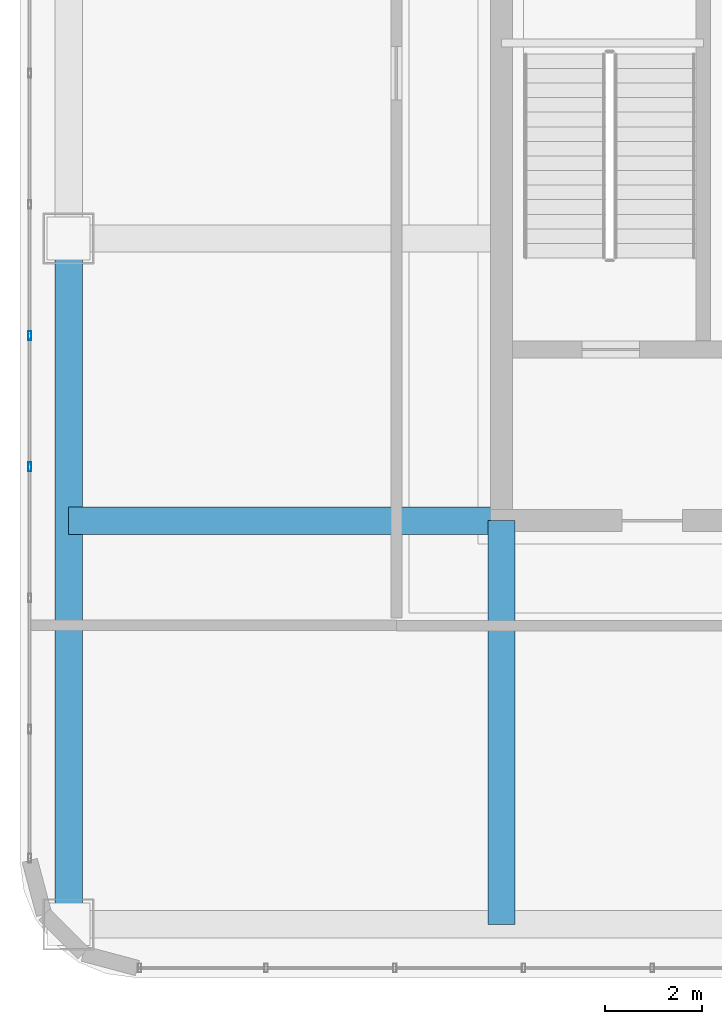
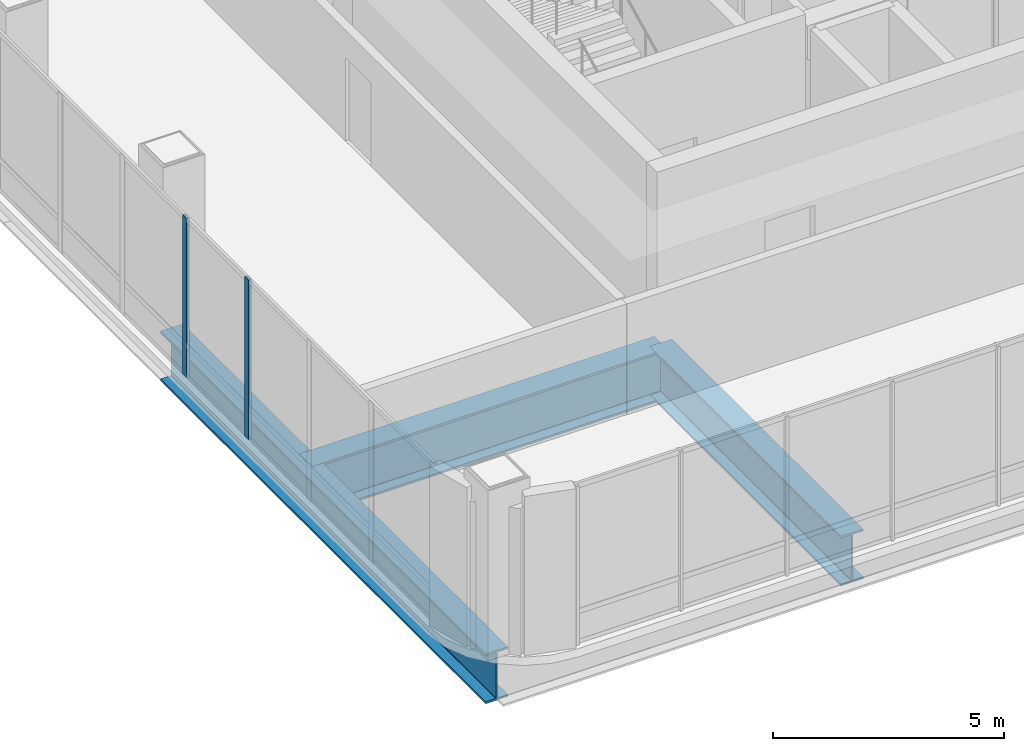
# One storey, part 4 of 33: 3 beams, 2 members, 1 element without a shape of its own.
"""IFC4 building model written with IfcOpenShell, lengths in metres."""

from ifc_helpers import new_model, si_unit, direction, frame, origin, origin_2d, place, context, subcontext, project, spatial, hollow_rectangle, i_section, extrude, material, material_profile, profile_set, type_object, element, aggregate, save


model = new_model("IFC4")

# Units and contexts
model_context = context("Model", 3, precision=1e-05, world=origin(), true_north=direction((0.0, 1.0)))
body_context = subcontext(model_context, "Body", "Model", "MODEL_VIEW")
ifc_project = project(units=[si_unit("LENGTHUNIT", "METRE"), si_unit("AREAUNIT", "SQUARE_METRE"), si_unit("VOLUMEUNIT", "CUBIC_METRE"), si_unit("PLANEANGLEUNIT", "RADIAN"), si_unit("MASSUNIT", "GRAM", prefix="KILO")], contexts=[model_context])

# Site, building, storey
site_placement = place(None, origin())
site = spatial("IfcSite", under=ifc_project, at=site_placement, CompositionType="ELEMENT")
building_placement = place(site_placement, origin())
building = spatial("IfcBuilding", under=site, at=building_placement, Name="Punatoya Terracotta Tower", CompositionType="ELEMENT")
storey_placement = place(building_placement, frame((0.0, 0.0, 348.300048828125)))
storey = spatial("IfcBuildingStorey", under=building, at=storey_placement, Name="L82", CompositionType="ELEMENT", Elevation=348.300048828125)

# Beams
ifc_material_1 = material(Name="Steel S460", Category="steel")
ifc_material_profile_1 = material_profile(ifc_material_1, i_section(OverallWidth=0.56005859375, OverallDepth=1.320068359375, WebThickness=0.035888671875, FlangeThickness=0.054931640625, FilletRadius=0.01806640625, at=origin_2d()))
ifc_profile_set_1 = profile_set([ifc_material_profile_1], Name="Steel S460")
beam_type = type_object("IfcBeamType", Name="BM-TG-BLK", PredefinedType="BEAM", material=ifc_profile_set_1)
beam_1_placement = place(storey_placement, frame((-19.10009765625, -17.5, -0.880126953125), z_axis=(0.0, 1.0, 0.0), x_axis=(-1.0, 0.0, 0.0)))
element("IfcBeam", 1, at=beam_1_placement, inside=storey, type_object=beam_type, Name="BM-L82-RG-W1", PredefinedType="BEAM", context=body_context, shape_type="SweptSolid", body=[
    extrude(i_section(OverallWidth=0.56005859375, OverallDepth=1.320068359375, WebThickness=0.035888671875, FlangeThickness=0.054931640625, FilletRadius=0.01806640625, at=origin_2d()), origin(), (0.0, 0.0, 1.0), 14.10009765625),
])
beam_2_placement = place(storey_placement, frame((-19.10009765625, -9.199951171875, -0.880126953125), z_axis=(1.0, 0.0, 0.0), x_axis=(0.0, 1.0, 0.0)))
element("IfcBeam", 2, at=beam_2_placement, inside=storey, type_object=beam_type, Name="BM-L82-PR-WS", PredefinedType="BEAM", context=body_context, shape_type="SweptSolid", body=[
    extrude(i_section(OverallWidth=0.56005859375, OverallDepth=1.320068359375, WebThickness=0.035888671875, FlangeThickness=0.054931640625, FilletRadius=0.01806640625, at=origin_2d()), origin(), (0.0, 0.0, 1.0), 8.900146484375),
])
beam_3_placement = place(storey_placement, frame((-10.199951171875, -17.5, -0.880126953125), z_axis=(0.0, 1.0, 0.0), x_axis=(-1.0, 0.0, 0.0)))
element("IfcBeam", 3, at=beam_3_placement, inside=storey, type_object=beam_type, Name="BM-L82-PR-S1", PredefinedType="BEAM", context=body_context, shape_type="SweptSolid", body=[
    extrude(i_section(OverallWidth=0.56005859375, OverallDepth=1.320068359375, WebThickness=0.035888671875, FlangeThickness=0.054931640625, FilletRadius=0.01806640625, at=origin_2d()), origin(), (0.0, 0.0, 1.0), 8.300048828125),
])

# Curtain wall, members
ifc_material_2 = material(Name="Aluminium 6063-T6 + Double Low-E Glass", Category="aluminium")
curtain_wall_type = type_object("IfcCurtainWallType", Name="CW-CRN", PredefinedType="NOTDEFINED", material=ifc_material_2)
curtain_wall_placement = place(storey_placement, origin())
curtain_wall = element("IfcCurtainWall", 4, at=curtain_wall_placement, inside=storey, type_object=curtain_wall_type, Name="L82 Curtain Wall CW-L82-W13-1", PredefinedType="NOTDEFINED")
ifc_material_3 = material(Name="Aluminium 6063-T6", Category="aluminium")
ifc_material_profile_2 = material_profile(ifc_material_3, hollow_rectangle(XDim=0.070068359375, YDim=0.179931640625, WallThickness=0.00390625, at=origin_2d()))
ifc_profile_set_2 = profile_set([ifc_material_profile_2], Name="Aluminium 6063-T6")
member_type = type_object("IfcMemberType", Name="CW-MUL-M3", PredefinedType="MULLION", material=ifc_profile_set_2)
member_1_placement = place(storey_placement, frame((-19.89990234375, -5.3955078125, 0.0), z_axis=(0.0, 0.0, 1.0), x_axis=(1.0, 0.0, 0.0)))
member_1 = element("IfcMember", 5, at=member_1_placement, type_object=member_type, Name="CW-L82-W13-1 Mullion 08", PredefinedType="MULLION", context=body_context, shape_type="SweptSolid", body=[
    extrude(hollow_rectangle(XDim=0.070068359375, YDim=0.179931640625, WallThickness=0.00390625, at=origin_2d()), origin(), (0.0, 0.0, 1.0), 4.219970703125),
])
member_2_placement = place(storey_placement, frame((-19.89990234375, -8.093505859375, 0.0), z_axis=(0.0, 0.0, 1.0), x_axis=(1.0, 0.0, 0.0)))
member_2 = element("IfcMember", 6, at=member_2_placement, type_object=member_type, Name="CW-L82-W13-1 Mullion 09", PredefinedType="MULLION", context=body_context, shape_type="SweptSolid", body=[
    extrude(hollow_rectangle(XDim=0.070068359375, YDim=0.179931640625, WallThickness=0.00390625, at=origin_2d()), origin(), (0.0, 0.0, 1.0), 4.219970703125),
])
aggregate(curtain_wall, [member_1, member_2])

save(model, "model.ifc")
